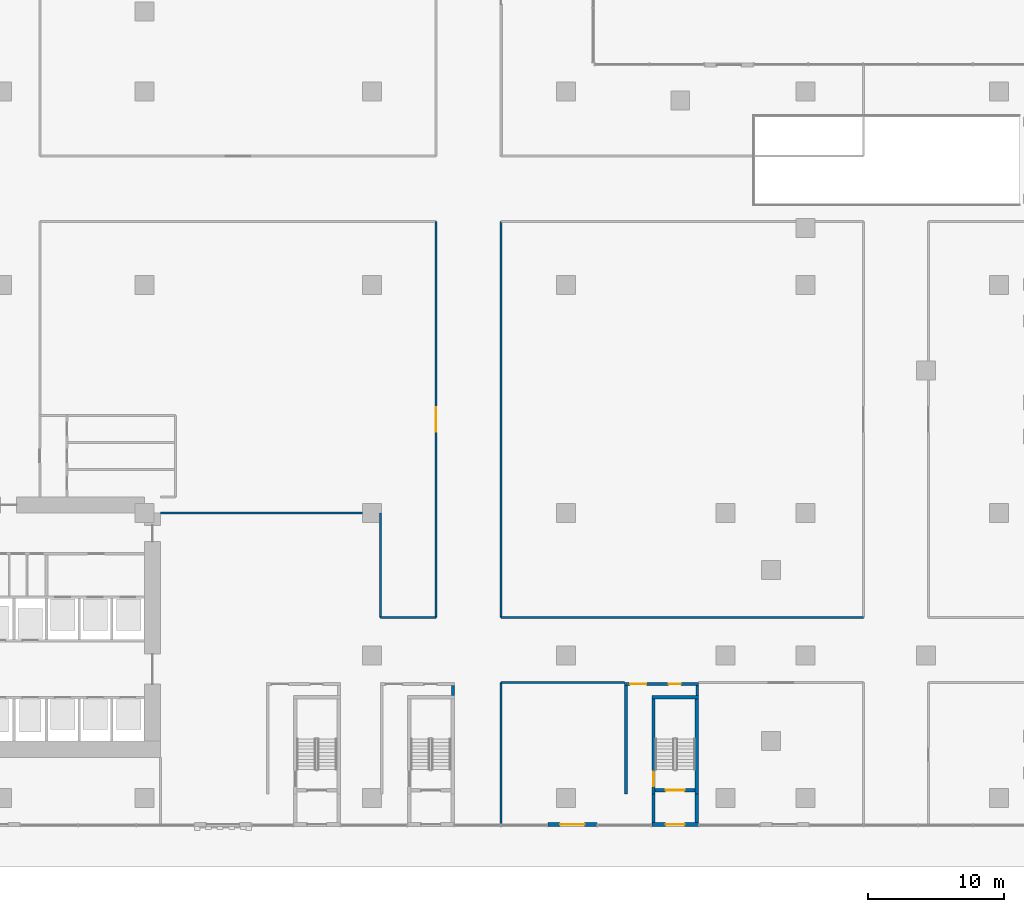
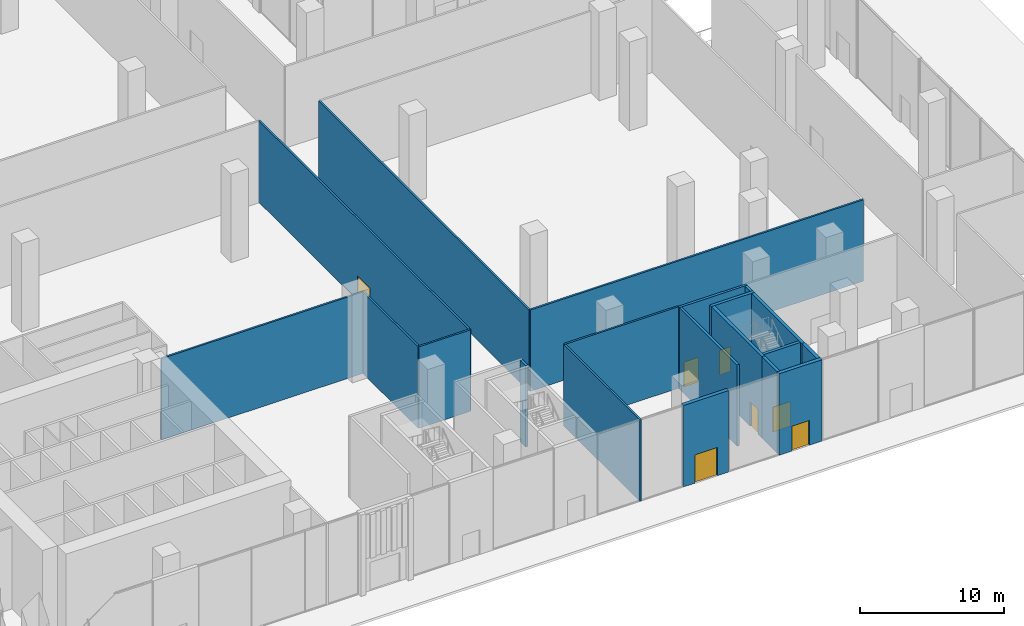
# One storey, part 15 of 26: 20 walls, 7 doors, 7 openings.
"""IFC4 building model written with IfcOpenShell, lengths in metres."""

import ifcopenshell
import ifcopenshell.guid

model = None  # the IFC model being written
_history = None  # IfcOwnerHistory: only IFC2X3 demands one
_inside = {}  # id of a spatial element -> (the spatial element, [elements in it])
_under = {}  # id of a project, library or spatial element -> (it, [spatial elements below it])
_declared = {}  # id of a project -> (the project, [libraries it declares])
_typed = {}  # id of a type object -> (the type object, [elements of that type])
_made_of = {}  # id of a material, layer set ... -> (it, [elements and type objects made of it])


def new_model(schema):
    """Start an empty IFC model of exactly this schema.

    Asked for "IFC4X3", IfcOpenShell would pick the latest addendum, in which some entities
    have other attributes; the version numbers below select the first issue.
    IFC2X3 requires an IfcOwnerHistory on every rooted entity: one is made here for all.
    """
    global model, _history
    if schema == "IFC4X3":
        model = ifcopenshell.file(schema_version=(4, 3, 0, 0))
    else:
        model = ifcopenshell.file(schema=schema)
    _inside.clear()
    _under.clear()
    _declared.clear()
    _typed.clear()
    _made_of.clear()
    _history = None
    if model.schema == "IFC2X3":
        org = make("IfcOrganization", Name="unknown")
        user = make(
            "IfcPersonAndOrganization",
            ThePerson=make("IfcPerson", FamilyName="unknown"),
            TheOrganization=org,
        )
        app = make(
            "IfcApplication",
            ApplicationDeveloper=org,
            Version="unknown",
            ApplicationFullName="unknown",
            ApplicationIdentifier="unknown",
        )
        _history = make(
            "IfcOwnerHistory",
            OwningUser=user,
            OwningApplication=app,
            ChangeAction="ADDED",
            CreationDate=0,
        )
    return model


def make(cls, **values):
    """One entity of the class cls with the attributes given. An attribute that is None is left unset."""
    return model.create_entity(
        cls, **{name: value for name, value in values.items() if value is not None}
    )


def rooted(cls, **values):
    """An entity with a GlobalId (a new one), such as an element, a storey or a relation."""
    return make(cls, GlobalId=ifcopenshell.guid.new(), OwnerHistory=_history, **values)


def si_unit(unit_type, name, prefix=None):
    """IfcSIUnit, for example si_unit("LENGTHUNIT", "METRE", prefix="MILLI")."""
    return make("IfcSIUnit", UnitType=unit_type, Prefix=prefix, Name=name)


def assignment(units):
    """IfcUnitAssignment: the units of a project."""
    return None if units is None else make("IfcUnitAssignment", Units=units)


def point(xyz):
    """IfcCartesianPoint."""
    return None if xyz is None else make("IfcCartesianPoint", Coordinates=xyz)


def direction(xyz):
    """IfcDirection."""
    return None if xyz is None else make("IfcDirection", DirectionRatios=xyz)


def frame(location, z_axis=None, x_axis=None):
    """IfcAxis2Placement3D, a coordinate frame: its origin and axes. An axis left out is left unset."""
    return make(
        "IfcAxis2Placement3D",
        Location=point(location),
        Axis=direction(z_axis),
        RefDirection=direction(x_axis),
    )


def frame_2d(location, x_axis=None):
    """IfcAxis2Placement2D, a coordinate frame in the plane: its origin and x axis."""
    return make(
        "IfcAxis2Placement2D", Location=point(location), RefDirection=direction(x_axis)
    )


def origin():
    """The frame at (0, 0, 0) with its axes left unset."""
    return frame((0.0, 0.0, 0.0))


def place(relative_to, where):
    """IfcLocalPlacement: puts the frame where relative to a parent placement (None: the world)."""
    return make(
        "IfcLocalPlacement", PlacementRelTo=relative_to, RelativePlacement=where
    )


def context(
    kind, dimensions, precision=None, world=None, true_north=None, identifier=None
):
    """IfcGeometricRepresentationContext, for example the 3D "Model" context."""
    return make(
        "IfcGeometricRepresentationContext",
        ContextIdentifier=identifier,
        ContextType=kind,
        CoordinateSpaceDimension=dimensions,
        Precision=precision,
        WorldCoordinateSystem=world,
        TrueNorth=true_north,
    )


def subcontext(parent, identifier, kind, view, scale=None):
    """IfcGeometricRepresentationSubContext, for example "Body" below "Model"."""
    return make(
        "IfcGeometricRepresentationSubContext",
        ContextIdentifier=identifier,
        ContextType=kind,
        ParentContext=parent,
        TargetScale=scale,
        TargetView=view,
    )


def project(units=None, contexts=None):
    """IfcProject with its units and contexts."""
    return rooted(
        "IfcProject",
        Name="project",
        RepresentationContexts=contexts,
        UnitsInContext=assignment(units),
    )


def spatial(cls, under=None, at=None, **own):
    """A site, building, storey or space (cls), placed at a placement, below another one or the project."""
    s = rooted(cls, ObjectPlacement=at, **own)
    if under is not None:
        _under.setdefault(under.id(), (under, []))[1].append(s)
    return s


def profile(cls, at=None, kind="AREA", **sizes):
    """A parametric profile (cls). Its sizes go by their IFC names, for example OverallWidth=200.0."""
    return make(cls, ProfileType=kind, Position=at, **sizes)


def rectangle(**sizes):
    """IfcRectangleProfileDef."""
    return profile("IfcRectangleProfileDef", **sizes)


def extrude(swept, where, along, depth):
    """IfcExtrudedAreaSolid: the profile swept, set in the frame where, extruded along a direction by depth."""
    return make(
        "IfcExtrudedAreaSolid",
        SweptArea=swept,
        Position=where,
        ExtrudedDirection=direction(along),
        Depth=depth,
    )


def shape(context_of_items, identifier, shape_type, items):
    """IfcShapeRepresentation: the items that make up one representation, for example the "Body"."""
    return make(
        "IfcShapeRepresentation",
        ContextOfItems=context_of_items,
        RepresentationIdentifier=identifier,
        RepresentationType=shape_type,
        Items=items,
    )


def source(mapping_origin, context_of_items, identifier, shape_type, items):
    """IfcRepresentationMap: a shape defined once, which mapped items show again and again."""
    return make(
        "IfcRepresentationMap",
        MappingOrigin=mapping_origin,
        MappedRepresentation=shape(context_of_items, identifier, shape_type, items),
    )


def transform(
    local_origin,
    x_axis=None,
    y_axis=None,
    z_axis=None,
    scale=None,
    scale2=None,
    scale3=None,
    uniform=True,
):
    """IfcCartesianTransformationOperator3D, or its non-uniform kind. x_axis, y_axis, z_axis: its Axis1, 2, 3."""
    if uniform:
        return make(
            "IfcCartesianTransformationOperator3D",
            Axis1=direction(x_axis),
            Axis2=direction(y_axis),
            LocalOrigin=point(local_origin),
            Scale=scale,
            Axis3=direction(z_axis),
        )
    return make(
        "IfcCartesianTransformationOperator3DnonUniform",
        Axis1=direction(x_axis),
        Axis2=direction(y_axis),
        LocalOrigin=point(local_origin),
        Scale=scale,
        Axis3=direction(z_axis),
        Scale2=scale2,
        Scale3=scale3,
    )


def mapped(mapping_source, mapping_target):
    """IfcMappedItem: shows the shape of a source again, moved by a transform."""
    return make(
        "IfcMappedItem", MappingSource=mapping_source, MappingTarget=mapping_target
    )


def material(Name=None, Category=None):
    """IfcMaterial."""
    return make("IfcMaterial", Name=Name, Category=Category)


def layer(
    of_material, thickness, ventilated=None, Name=None, Category=None, Priority=None
):
    """IfcMaterialLayer: one layer of a wall or slab, of a material (None: an air gap)."""
    return make(
        "IfcMaterialLayer",
        Material=of_material,
        LayerThickness=thickness,
        IsVentilated=ventilated,
        Name=Name,
        Category=Category,
        Priority=Priority,
    )


def layer_set(layers, Name=None):
    """IfcMaterialLayerSet."""
    return make("IfcMaterialLayerSet", MaterialLayers=layers, LayerSetName=Name)


def made_of(thing, what):
    """Note that an element or type object is made of a material, layer set ...; save() writes the relation."""
    if what is not None:
        _made_of.setdefault(what.id(), (what, []))[1].append(thing)
    return thing


def type_object(cls, material=None, **own):
    """A type object (cls), such as IfcWallType, which elements share."""
    return made_of(rooted(cls, **own), material)


def element(
    cls,
    number,
    at=None,
    inside=None,
    cuts=None,
    type_object=None,
    material=None,
    context=None,
    identifier="Body",
    shape_type=None,
    held_by="IfcProductDefinitionShape",
    body=None,
    shapes=None,
    **own,
):
    """One element of the class cls, such as IfcWall. Its Tag is "e" and its number.

    at: its placement. inside: the storey or other place that contains it. cuts: it is an
    opening in that element (IfcRelVoidsElement). A single representation is given by context,
    identifier, shape_type and body (its items); several are given by shapes. held_by: the class
    of the entity that holds the representations. save() writes the other relations.
    """
    e = rooted(cls, Tag="e%d" % number, ObjectPlacement=at, **own)
    if body is not None:
        shapes = [shape(context, identifier, shape_type, body)]
    if shapes is not None:
        e.Representation = make(held_by, Representations=shapes)
    if inside is not None:
        _inside.setdefault(inside.id(), (inside, []))[1].append(e)
    if cuts is not None:
        rooted(
            "IfcRelVoidsElement", RelatingBuildingElement=cuts, RelatedOpeningElement=e
        )
    if type_object is not None:
        _typed.setdefault(type_object.id(), (type_object, []))[1].append(e)
    return made_of(e, material)


def fill(opening, filler):
    """IfcRelFillsElement: the door or window that sits in an opening."""
    return rooted(
        "IfcRelFillsElement",
        RelatingOpeningElement=opening,
        RelatedBuildingElement=filler,
    )


def aggregate(whole, parts):
    """IfcRelAggregates: a whole, such as a stair, and the parts it consists of."""
    return rooted("IfcRelAggregates", RelatingObject=whole, RelatedObjects=parts)


def save(model, path):
    """Write the relations noted so far, then the file.

    IfcRelAggregates (storeys below a building ...), IfcRelContainedInSpatialStructure (elements
    in a storey), IfcRelDefinesByType, IfcRelAssociatesMaterial and IfcRelDeclares: one each for
    every whole, place, type object, material and project.
    """
    for whole, parts in _under.values():
        aggregate(whole, parts)
    for where, things in _inside.values():
        rooted(
            "IfcRelContainedInSpatialStructure",
            RelatedElements=things,
            RelatingStructure=where,
        )
    for kind, things in _typed.values():
        rooted("IfcRelDefinesByType", RelatedObjects=things, RelatingType=kind)
    for what, things in _made_of.values():
        rooted("IfcRelAssociatesMaterial", RelatedObjects=things, RelatingMaterial=what)
    for by, libraries in _declared.values():
        rooted("IfcRelDeclares", RelatingContext=by, RelatedDefinitions=libraries)
    model.write(path)


model = new_model("IFC4")

# Units and contexts
model_context = context("Model", 3, precision=1e-05, world=origin(), true_north=direction((0.0, 1.0)))
body_context = subcontext(model_context, "Body", "Model", "MODEL_VIEW")
ifc_project = project(units=[si_unit("LENGTHUNIT", "METRE"), si_unit("AREAUNIT", "SQUARE_METRE"), si_unit("VOLUMEUNIT", "CUBIC_METRE"), si_unit("PLANEANGLEUNIT", "RADIAN"), si_unit("MASSUNIT", "GRAM", prefix="KILO")], contexts=[model_context])

# Site, building, storey
site_placement = place(None, origin())
site = spatial("IfcSite", under=ifc_project, at=site_placement, CompositionType="ELEMENT")
building_placement = place(site_placement, origin())
building = spatial("IfcBuilding", under=site, at=building_placement, Name="Aurelian Terraces", CompositionType="ELEMENT")
storey_placement = place(building_placement, origin())
storey = spatial("IfcBuildingStorey", under=building, at=storey_placement, Name="L00", CompositionType="ELEMENT", Elevation=0.0)

# Walls
ifc_material_1 = material(Name="Gypsum board on steel studs", Category="steel")
ifc_layer_1 = layer(ifc_material_1, 0.2)
ifc_layer_set_1 = layer_set([ifc_layer_1], Name="Core partition 200")
wall_type_1 = type_object("IfcWallType", Name="Core partition 200", PredefinedType="PARTITIONING", material=ifc_layer_set_1)
wall_1_placement = place(storey_placement, frame((43.75, 7.55, 0.0), z_axis=(0.0, 0.0, 1.0), x_axis=(0.0, 1.0, 0.0)))
element("IfcWall", 1, at=wall_1_placement, inside=storey, type_object=wall_type_1, Name="L00 core wall ST-S2-RE", PredefinedType="PARTITIONING", context=body_context, shape_type="SweptSolid", body=[
    extrude(rectangle(XDim=0.75, YDim=0.2, at=frame_2d((0.375, 0.0))), origin(), (0.0, 0.0, 1.0), 6.9),
])
ifc_layer_2 = layer(ifc_material_1, 0.15)
ifc_layer_set_2 = layer_set([ifc_layer_2], Name="Special partition 150")
wall_type_2 = type_object("IfcWallType", Name="Special partition 150", PredefinedType="PARTITIONING", material=ifc_layer_set_2)
wall_2_placement = place(storey_placement, frame((47.3, 8.5, 0.0), z_axis=(0.0, 0.0, 1.0), x_axis=(1.0, 0.0, 0.0)))
element("IfcWall", 2, at=wall_2_placement, inside=storey, type_object=wall_type_2, Name="L00 partition W02", PredefinedType="PARTITIONING", context=body_context, shape_type="SweptSolid", body=[
    extrude(rectangle(XDim=9.1, YDim=0.15, at=frame_2d((4.55, 0.0))), origin(), (0.0, 0.0, 1.0), 6.9),
])
wall_3_placement = place(storey_placement, frame((38.4, 13.3, 0.0), z_axis=(0.0, 0.0, 1.0), x_axis=(1.0, 0.0, 0.0)))
element("IfcWall", 3, at=wall_3_placement, inside=storey, type_object=wall_type_2, Name="L00 partition W05", PredefinedType="PARTITIONING", context=body_context, shape_type="SweptSolid", body=[
    extrude(rectangle(XDim=4.1, YDim=0.15, at=frame_2d((2.05, 0.0))), origin(), (0.0, 0.0, 1.0), 6.9),
])
wall_4_placement = place(storey_placement, frame((47.3, 13.3, 0.0), z_axis=(0.0, 0.0, 1.0), x_axis=(1.0, 0.0, 0.0)))
element("IfcWall", 4, at=wall_4_placement, inside=storey, type_object=wall_type_2, Name="L00 partition W06", PredefinedType="PARTITIONING", context=body_context, shape_type="SweptSolid", body=[
    extrude(rectangle(XDim=26.7, YDim=0.15, at=frame_2d((13.35, 0.0))), origin(), (0.0, 0.0, 1.0), 6.9),
])
wall_5_placement = place(storey_placement, frame((22.2, 21.0, 0.0), z_axis=(0.0, 0.0, 1.0), x_axis=(1.0, 0.0, 0.0)))
element("IfcWall", 5, at=wall_5_placement, inside=storey, type_object=wall_type_2, Name="L00 partition W08", PredefinedType="PARTITIONING", context=body_context, shape_type="SweptSolid", body=[
    extrude(rectangle(XDim=16.2, YDim=0.15, at=frame_2d((8.1, 0.0))), origin(), (0.0, 0.0, 1.0), 6.9),
])
wall_6_placement = place(storey_placement, frame((38.4, 13.3, 0.0), z_axis=(0.0, 0.0, 1.0), x_axis=(0.0, 1.0, 0.0)))
element("IfcWall", 6, at=wall_6_placement, inside=storey, type_object=wall_type_2, Name="L00 partition W36", PredefinedType="PARTITIONING", context=body_context, shape_type="SweptSolid", body=[
    extrude(rectangle(XDim=7.7, YDim=0.15, at=frame_2d((3.85, 0.0))), origin(), (0.0, 0.0, 1.0), 6.9),
])

# Wall, opening, door
ifc_material_2 = material(Name="Terracotta rainscreen cladding", Category="masonry")
ifc_layer_3 = layer(ifc_material_2, 0.3)
ifc_layer_set_3 = layer_set([ifc_layer_3], Name="EW-300")
wall_type_3 = type_object("IfcWallType", Name="EW-300", PredefinedType="STANDARD", material=ifc_layer_set_3)
shared_shape_1 = source(origin(), body_context, "Body", "SweptSolid", [
    extrude(rectangle(XDim=3.6, YDim=0.3, at=frame_2d((1.8, 0.0))), origin(), (0.0, 0.0, 1.0), 6.9),
])
wall_7_placement = place(storey_placement, frame((50.75, -1.95, 0.0), z_axis=(0.0, 0.0, 1.0), x_axis=(1.0, 0.0, 0.0)))
wall_7 = element("IfcWall", 7, at=wall_7_placement, inside=storey, type_object=wall_type_3, Name="Entrance wall L00 F01", PredefinedType="STANDARD", context=body_context, shape_type="MappedRepresentation", body=[
    mapped(shared_shape_1, transform((0.0, 0.0, 0.0), scale=1.0)),
])
shared_shape_2 = source(origin(), body_context, "Body", "SweptSolid", [
    extrude(rectangle(XDim=1.8, YDim=2.4, at=frame_2d((0.9, 1.2))), frame((0.0, 0.16, 0.0), z_axis=(0.0, -1.0, 0.0), x_axis=(1.0, 0.0, 0.0)), (0.0, 0.0, 1.0), 0.32),
])
opening_1_placement = place(wall_7_placement, frame((0.9, 0.0, 0.0)))
opening_1 = element("IfcOpeningElement", 8, at=opening_1_placement, cuts=wall_7, Name="Opening 80003", PredefinedType="OPENING", context=body_context, shape_type="MappedRepresentation", body=[
    mapped(shared_shape_2, transform((0.0, 0.0, 0.0), scale=1.0)),
])
ifc_material_3 = material(Name="Clear glazing", Category="glass")
door_type_1 = type_object("IfcDoorType", Name="ED-1800x2400", OperationType="DOUBLE_DOOR_SINGLE_SWING", PredefinedType="DOOR", material=ifc_material_3)
shared_shape_3 = source(origin(), body_context, "Body", "SweptSolid", [
    extrude(rectangle(XDim=1.8, YDim=2.4, at=frame_2d((0.9, 1.2))), frame((0.0, 0.025, 0.0), z_axis=(0.0, -1.0, 0.0), x_axis=(1.0, 0.0, 0.0)), (0.0, 0.0, 1.0), 0.05),
])
door_1_placement = place(opening_1_placement, origin())
door_1 = element("IfcDoor", 9, at=door_1_placement, inside=storey, type_object=door_type_1, Name="Entrance door L00 F01", OperationType="DOUBLE_DOOR_SINGLE_SWING", OverallHeight=2.4, OverallWidth=1.8, PredefinedType="DOOR", context=body_context, shape_type="MappedRepresentation", body=[
    mapped(shared_shape_3, transform((0.0, 0.0, 0.0), scale=1.0)),
])
fill(opening_1, door_1)

ifc_material_4 = material(Name="Concrete fc' 40 MPa", Category="concrete")
ifc_layer_4 = layer(ifc_material_4, 0.25)
ifc_layer_set_4 = layer_set([ifc_layer_4], Name="Stair enclosure wall 250")
wall_type_4 = type_object("IfcWallType", Name="Stair enclosure wall 250", PredefinedType="SOLIDWALL", material=ifc_layer_set_4)
shared_shape_4 = source(origin(), body_context, "Body", "SweptSolid", [
    extrude(rectangle(XDim=7.0, YDim=0.25, at=frame_2d((3.5, 0.0))), origin(), (0.0, 0.0, 1.0), 6.9),
])
wall_8_placement = place(storey_placement, frame((58.525, 0.3, 0.0), z_axis=(0.0, 0.0, 1.0), x_axis=(0.0, 1.0, 0.0)))
wall_8 = element("IfcWall", 10, at=wall_8_placement, inside=storey, type_object=wall_type_4, Name="L00 core wall ST-S6-W", PredefinedType="SOLIDWALL", context=body_context, shape_type="MappedRepresentation", body=[
    mapped(shared_shape_4, transform((0.0, 0.0, 0.0), scale=1.0)),
])
shared_shape_5 = source(origin(), body_context, "Body", "SweptSolid", [
    extrude(rectangle(XDim=1.1, YDim=2.1, at=frame_2d((0.55, 1.05))), frame((0.0, 0.135, 0.0), z_axis=(0.0, -1.0, 0.0), x_axis=(1.0, 0.0, 0.0)), (0.0, 0.0, 1.0), 0.27),
])
opening_2_placement = place(wall_8_placement, frame((0.55, 0.0, 0.0)))
opening_2 = element("IfcOpeningElement", 11, at=opening_2_placement, cuts=wall_8, Name="Opening 60341", PredefinedType="OPENING", context=body_context, shape_type="MappedRepresentation", body=[
    mapped(shared_shape_5, transform((0.0, 0.0, 0.0), scale=1.0)),
])
ifc_material_5 = material(Name="Steel door leaf", Category="steel")
door_type_2 = type_object("IfcDoorType", Name="Core fire door 1100x2100", OperationType="SINGLE_SWING_LEFT", PredefinedType="DOOR", material=ifc_material_5)
shared_shape_6 = source(origin(), body_context, "Body", "SweptSolid", [
    extrude(rectangle(XDim=1.1, YDim=2.1, at=frame_2d((0.55, 1.05))), frame((0.0, 0.025, 0.0), z_axis=(0.0, -1.0, 0.0), x_axis=(1.0, 0.0, 0.0)), (0.0, 0.0, 1.0), 0.05),
])
door_2_placement = place(opening_2_placement, origin())
door_2 = element("IfcDoor", 12, at=door_2_placement, inside=storey, type_object=door_type_2, Name="Stair door 60341", OperationType="SINGLE_SWING_LEFT", OverallHeight=2.1, OverallWidth=1.1, PredefinedType="DOOR", context=body_context, shape_type="MappedRepresentation", body=[
    mapped(shared_shape_6, transform((0.0, 0.0, 0.0), scale=1.0)),
])
fill(opening_2, door_2)

# Walls
wall_9_placement = place(storey_placement, frame((61.725, 0.3, 0.0), z_axis=(0.0, 0.0, 1.0), x_axis=(0.0, 1.0, 0.0)))
element("IfcWall", 13, at=wall_9_placement, inside=storey, type_object=wall_type_4, Name="L00 core wall ST-S6-E", PredefinedType="SOLIDWALL", context=body_context, shape_type="MappedRepresentation", body=[
    mapped(shared_shape_4, transform((0.0, 0.0, 0.0), scale=1.0)),
])
shared_shape_7 = source(origin(), body_context, "Body", "SweptSolid", [
    extrude(rectangle(XDim=2.1, YDim=0.25, at=frame_2d((1.05, 0.0))), origin(), (0.0, 0.0, 1.0), 6.9),
])
for number, where, z_axis, x_axis, name in (
    (14, (58.525, -1.8, 0.0), (0.0, 0.0, 1.0), (0.0, 1.0, 0.0), "L00 core wall ST-S6-PW"),
    (15, (61.725, -1.8, 0.0), (0.0, 0.0, 1.0), (0.0, 1.0, 0.0), "L00 core wall ST-S6-PE"),
):
    element("IfcWall", number, at=place(storey_placement, frame(where, z_axis=z_axis, x_axis=x_axis)), inside=storey, type_object=wall_type_4, Name=name, PredefinedType="SOLIDWALL", context=body_context, shape_type="MappedRepresentation", body=[
        mapped(shared_shape_7, transform((0.0, 0.0, 0.0), scale=1.0)),
    ])
shared_shape_8 = source(origin(), body_context, "Body", "SweptSolid", [
    extrude(rectangle(XDim=3.45, YDim=0.25, at=frame_2d((1.725, 0.0))), origin(), (0.0, 0.0, 1.0), 6.9),
])
wall_10_placement = place(storey_placement, frame((58.4, 7.425, 0.0), z_axis=(0.0, 0.0, 1.0), x_axis=(1.0, 0.0, 0.0)))
element("IfcWall", 16, at=wall_10_placement, inside=storey, type_object=wall_type_4, Name="L00 core wall ST-S6-N", PredefinedType="SOLIDWALL", context=body_context, shape_type="MappedRepresentation", body=[
    mapped(shared_shape_8, transform((0.0, 0.0, 0.0), scale=1.0)),
])

# Wall, opening, door
shared_shape_9 = source(origin(), body_context, "Body", "SweptSolid", [
    extrude(rectangle(XDim=2.95, YDim=0.25, at=frame_2d((1.475, 0.0))), origin(), (0.0, 0.0, 1.0), 6.9),
])
wall_11_placement = place(storey_placement, frame((58.65, 0.575, 0.0), z_axis=(0.0, 0.0, 1.0), x_axis=(1.0, 0.0, 0.0)))
wall_11 = element("IfcWall", 17, at=wall_11_placement, inside=storey, type_object=wall_type_4, Name="L00 core wall ST-S6-SS", PredefinedType="SOLIDWALL", context=body_context, shape_type="MappedRepresentation", body=[
    mapped(shared_shape_9, transform((0.0, 0.0, 0.0), scale=1.0)),
])
shared_shape_10 = source(origin(), body_context, "Body", "SweptSolid", [
    extrude(rectangle(XDim=1.4, YDim=2.1, at=frame_2d((0.7, 1.05))), frame((0.0, 0.135, 0.0), z_axis=(0.0, -1.0, 0.0), x_axis=(1.0, 0.0, 0.0)), (0.0, 0.0, 1.0), 0.27),
])
opening_3_placement = place(wall_11_placement, frame((0.775, 0.0, 0.0)))
opening_3 = element("IfcOpeningElement", 18, at=opening_3_placement, cuts=wall_11, Name="Opening 60342", PredefinedType="OPENING", context=body_context, shape_type="MappedRepresentation", body=[
    mapped(shared_shape_10, transform((0.0, 0.0, 0.0), scale=1.0)),
])
door_type_3 = type_object("IfcDoorType", Name="Core exit door 1400x2100", OperationType="DOUBLE_DOOR_SINGLE_SWING", PredefinedType="DOOR", material=ifc_material_5)
shared_shape_11 = source(origin(), body_context, "Body", "SweptSolid", [
    extrude(rectangle(XDim=1.4, YDim=2.1, at=frame_2d((0.7, 1.05))), frame((0.0, 0.025, 0.0), z_axis=(0.0, -1.0, 0.0), x_axis=(1.0, 0.0, 0.0)), (0.0, 0.0, 1.0), 0.05),
])
door_3_placement = place(opening_3_placement, origin())
door_3 = element("IfcDoor", 19, at=door_3_placement, inside=storey, type_object=door_type_3, Name="Exit door 60342", OperationType="DOUBLE_DOOR_SINGLE_SWING", OverallHeight=2.1, OverallWidth=1.4, PredefinedType="DOOR", context=body_context, shape_type="MappedRepresentation", body=[
    mapped(shared_shape_11, transform((0.0, 0.0, 0.0), scale=1.0)),
])
fill(opening_3, door_3)

# Wall
shared_shape_12 = source(origin(), body_context, "Body", "SweptSolid", [
    extrude(rectangle(XDim=8.0, YDim=0.2, at=frame_2d((4.0, 0.0))), origin(), (0.0, 0.0, 1.0), 6.9),
])
wall_12_placement = place(storey_placement, frame((56.5, 0.3, 0.0), z_axis=(0.0, 0.0, 1.0), x_axis=(0.0, 1.0, 0.0)))
element("IfcWall", 20, at=wall_12_placement, inside=storey, type_object=wall_type_1, Name="L00 core wall ST-S6-VW", PredefinedType="PARTITIONING", context=body_context, shape_type="MappedRepresentation", body=[
    mapped(shared_shape_12, transform((0.0, 0.0, 0.0), scale=1.0)),
])

# Wall, openings, doors
shared_shape_13 = source(origin(), body_context, "Body", "SweptSolid", [
    extrude(rectangle(XDim=5.45, YDim=0.2, at=frame_2d((2.725, 0.0))), origin(), (0.0, 0.0, 1.0), 6.9),
])
wall_13_placement = place(storey_placement, frame((56.4, 8.4, 0.0), z_axis=(0.0, 0.0, 1.0), x_axis=(1.0, 0.0, 0.0)))
wall_13 = element("IfcWall", 21, at=wall_13_placement, inside=storey, type_object=wall_type_1, Name="L00 core wall ST-S6-BN", PredefinedType="PARTITIONING", context=body_context, shape_type="MappedRepresentation", body=[
    mapped(shared_shape_13, transform((0.0, 0.0, 0.0), scale=1.0)),
])
shared_shape_14 = source(origin(), body_context, "Body", "SweptSolid", [
    extrude(rectangle(XDim=1.2, YDim=2.1, at=frame_2d((0.6, 1.05))), frame((0.0, 0.11, 0.0), z_axis=(0.0, -1.0, 0.0), x_axis=(1.0, 0.0, 0.0)), (0.0, 0.0, 1.0), 0.22),
])
opening_4_placement = place(wall_13_placement, frame((0.4, 0.0, 0.0)))
opening_4 = element("IfcOpeningElement", 22, at=opening_4_placement, cuts=wall_13, Name="Opening 60343", PredefinedType="OPENING", context=body_context, shape_type="MappedRepresentation", body=[
    mapped(shared_shape_14, transform((0.0, 0.0, 0.0), scale=1.0)),
])
shared_shape_15 = source(origin(), body_context, "Body", "SweptSolid", [
    extrude(rectangle(XDim=0.9, YDim=2.1, at=frame_2d((0.45, 1.05))), frame((0.0, 0.11, 0.0), z_axis=(0.0, -1.0, 0.0), x_axis=(1.0, 0.0, 0.0)), (0.0, 0.0, 1.0), 0.22),
])
opening_5_placement = place(wall_13_placement, frame((3.25, 0.0, 0.0)))
opening_5 = element("IfcOpeningElement", 23, at=opening_5_placement, cuts=wall_13, Name="Opening 60344", PredefinedType="OPENING", context=body_context, shape_type="MappedRepresentation", body=[
    mapped(shared_shape_15, transform((0.0, 0.0, 0.0), scale=1.0)),
])
door_type_4 = type_object("IfcDoorType", Name="Core riser door 900x2100 right", OperationType="SINGLE_SWING_RIGHT", PredefinedType="DOOR", material=ifc_material_5)
shared_shape_16 = source(origin(), body_context, "Body", "SweptSolid", [
    extrude(rectangle(XDim=0.9, YDim=2.1, at=frame_2d((0.45, 1.05))), frame((0.0, 0.025, 0.0), z_axis=(0.0, -1.0, 0.0), x_axis=(1.0, 0.0, 0.0)), (0.0, 0.0, 1.0), 0.05),
])
door_4_placement = place(opening_5_placement, origin())
door_4 = element("IfcDoor", 24, at=door_4_placement, inside=storey, type_object=door_type_4, Name="Riser door 60344", OperationType="SINGLE_SWING_RIGHT", OverallHeight=2.1, OverallWidth=0.9, PredefinedType="DOOR", context=body_context, shape_type="MappedRepresentation", body=[
    mapped(shared_shape_16, transform((0.0, 0.0, 0.0), scale=1.0)),
])
fill(opening_5, door_4)
door_type_5 = type_object("IfcDoorType", Name="Core fire door 1200x2100", OperationType="SINGLE_SWING_LEFT", PredefinedType="DOOR", material=ifc_material_5)
shared_shape_17 = source(origin(), body_context, "Body", "SweptSolid", [
    extrude(rectangle(XDim=1.2, YDim=2.1, at=frame_2d((0.6, 1.05))), frame((0.0, 0.025, 0.0), z_axis=(0.0, -1.0, 0.0), x_axis=(1.0, 0.0, 0.0)), (0.0, 0.0, 1.0), 0.05),
])
door_5_placement = place(opening_4_placement, origin())
door_5 = element("IfcDoor", 25, at=door_5_placement, inside=storey, type_object=door_type_5, Name="Vestibule door 60343", OperationType="SINGLE_SWING_LEFT", OverallHeight=2.1, OverallWidth=1.2, PredefinedType="DOOR", context=body_context, shape_type="MappedRepresentation", body=[
    mapped(shared_shape_17, transform((0.0, 0.0, 0.0), scale=1.0)),
])
fill(opening_4, door_5)

# Wall
shared_shape_18 = source(origin(), body_context, "Body", "SweptSolid", [
    extrude(rectangle(XDim=0.75, YDim=0.2, at=frame_2d((0.375, 0.0))), origin(), (0.0, 0.0, 1.0), 6.9),
])
wall_14_placement = place(storey_placement, frame((61.75, 7.55, 0.0), z_axis=(0.0, 0.0, 1.0), x_axis=(0.0, 1.0, 0.0)))
element("IfcWall", 26, at=wall_14_placement, inside=storey, type_object=wall_type_1, Name="L00 core wall ST-S6-RE", PredefinedType="PARTITIONING", context=body_context, shape_type="MappedRepresentation", body=[
    mapped(shared_shape_18, transform((0.0, 0.0, 0.0), scale=1.0)),
])

# Wall, opening, door
ifc_layer_5 = layer(ifc_material_1, 0.3)
ifc_layer_set_5 = layer_set([ifc_layer_5], Name="Core partition 300")
wall_type_5 = type_object("IfcWallType", Name="Core partition 300", PredefinedType="PARTITIONING", material=ifc_layer_set_5)
shared_shape_19 = source(origin(), body_context, "Body", "SweptSolid", [
    extrude(rectangle(XDim=3.45, YDim=0.3, at=frame_2d((1.725, 0.0))), origin(), (0.0, 0.0, 1.0), 6.9),
])
wall_15_placement = place(storey_placement, frame((61.85, -1.95, 0.0), z_axis=(0.0, 0.0, 1.0), x_axis=(-1.0, 0.0, 0.0)))
wall_15 = element("IfcWall", 27, at=wall_15_placement, inside=storey, type_object=wall_type_5, Name="L00 core wall ST-S6-PO", PredefinedType="PARTITIONING", context=body_context, shape_type="MappedRepresentation", body=[
    mapped(shared_shape_19, transform((0.0, 0.0, 0.0), scale=1.0)),
])
shared_shape_20 = source(origin(), body_context, "Body", "SweptSolid", [
    extrude(rectangle(XDim=1.4, YDim=2.1, at=frame_2d((0.7, 1.05))), frame((0.0, 0.16, 0.0), z_axis=(0.0, -1.0, 0.0), x_axis=(1.0, 0.0, 0.0)), (0.0, 0.0, 1.0), 0.32),
])
opening_6_placement = place(wall_15_placement, frame((1.025, 0.0, 0.0)))
opening_6 = element("IfcOpeningElement", 28, at=opening_6_placement, cuts=wall_15, Name="Opening 60345", PredefinedType="OPENING", context=body_context, shape_type="MappedRepresentation", body=[
    mapped(shared_shape_20, transform((0.0, 0.0, 0.0), scale=1.0)),
])
door_6_placement = place(opening_6_placement, origin())
door_6 = element("IfcDoor", 29, at=door_6_placement, inside=storey, type_object=door_type_3, Name="Exit door 60345", OperationType="DOUBLE_DOOR_SINGLE_SWING", OverallHeight=2.1, OverallWidth=1.4, PredefinedType="DOOR", context=body_context, shape_type="MappedRepresentation", body=[
    mapped(shared_shape_11, transform((0.0, 0.0, 0.0), scale=1.0)),
])
fill(opening_6, door_6)

shared_shape_21 = source(origin(), body_context, "Body", "SweptSolid", [
    extrude(rectangle(XDim=29.2, YDim=0.15, at=frame_2d((14.6, 0.0))), origin(), (0.0, 0.0, 1.0), 6.9),
])
wall_16_placement = place(storey_placement, frame((42.5, 13.3, 0.0), z_axis=(0.0, 0.0, 1.0), x_axis=(0.0, 1.0, 0.0)))
wall_16 = element("IfcWall", 30, at=wall_16_placement, inside=storey, type_object=wall_type_2, Name="L00 partition W37", PredefinedType="PARTITIONING", context=body_context, shape_type="MappedRepresentation", body=[
    mapped(shared_shape_21, transform((0.0, 0.0, 0.0), scale=1.0)),
])
shared_shape_22 = source(origin(), body_context, "Body", "SweptSolid", [
    extrude(rectangle(XDim=1.8, YDim=2.1, at=frame_2d((0.9, 1.05))), frame((0.0, 0.085, 0.0), z_axis=(0.0, -1.0, 0.0), x_axis=(1.0, 0.0, 0.0)), (0.0, 0.0, 1.0), 0.17),
])
opening_7_placement = place(wall_16_placement, frame((13.7, 0.0, 0.0)))
opening_7 = element("IfcOpeningElement", 31, at=opening_7_placement, cuts=wall_16, Name="Opening 70312", PredefinedType="OPENING", context=body_context, shape_type="MappedRepresentation", body=[
    mapped(shared_shape_22, transform((0.0, 0.0, 0.0), scale=1.0)),
])
ifc_material_6 = material(Name="Timber door leaf", Category="wood")
door_type_6 = type_object("IfcDoorType", Name="Special double door 1800x2100", OperationType="DOUBLE_DOOR_SINGLE_SWING", PredefinedType="DOOR", material=ifc_material_6)
shared_shape_23 = source(origin(), body_context, "Body", "SweptSolid", [
    extrude(rectangle(XDim=1.8, YDim=2.1, at=frame_2d((0.9, 1.05))), frame((0.0, 0.025, 0.0), z_axis=(0.0, -1.0, 0.0), x_axis=(1.0, 0.0, 0.0)), (0.0, 0.0, 1.0), 0.05),
])
door_7_placement = place(opening_7_placement, origin())
door_7 = element("IfcDoor", 32, at=door_7_placement, inside=storey, type_object=door_type_6, Name="Door 70312", OperationType="DOUBLE_DOOR_SINGLE_SWING", OverallHeight=2.1, OverallWidth=1.8, PredefinedType="DOOR", context=body_context, shape_type="MappedRepresentation", body=[
    mapped(shared_shape_23, transform((0.0, 0.0, 0.0), scale=1.0)),
])
fill(opening_7, door_7)

# Walls
wall_17_placement = place(storey_placement, frame((47.3, 13.3, 0.0), z_axis=(0.0, 0.0, 1.0), x_axis=(0.0, 1.0, 0.0)))
element("IfcWall", 33, at=wall_17_placement, inside=storey, type_object=wall_type_2, Name="L00 partition W41", PredefinedType="PARTITIONING", context=body_context, shape_type="MappedRepresentation", body=[
    mapped(shared_shape_21, transform((0.0, 0.0, 0.0), scale=1.0)),
])
shared_shape_24 = source(origin(), body_context, "Body", "SweptSolid", [
    extrude(rectangle(XDim=10.6, YDim=0.15, at=frame_2d((5.3, 0.0))), origin(), (0.0, 0.0, 1.0), 6.9),
])
wall_18_placement = place(storey_placement, frame((47.3, -2.1, 0.0), z_axis=(0.0, 0.0, 1.0), x_axis=(0.0, 1.0, 0.0)))
element("IfcWall", 34, at=wall_18_placement, inside=storey, type_object=wall_type_2, Name="L00 partition W40", PredefinedType="PARTITIONING", context=body_context, shape_type="MappedRepresentation", body=[
    mapped(shared_shape_24, transform((0.0, 0.0, 0.0), scale=1.0)),
])

save(model, "model.ifc")
